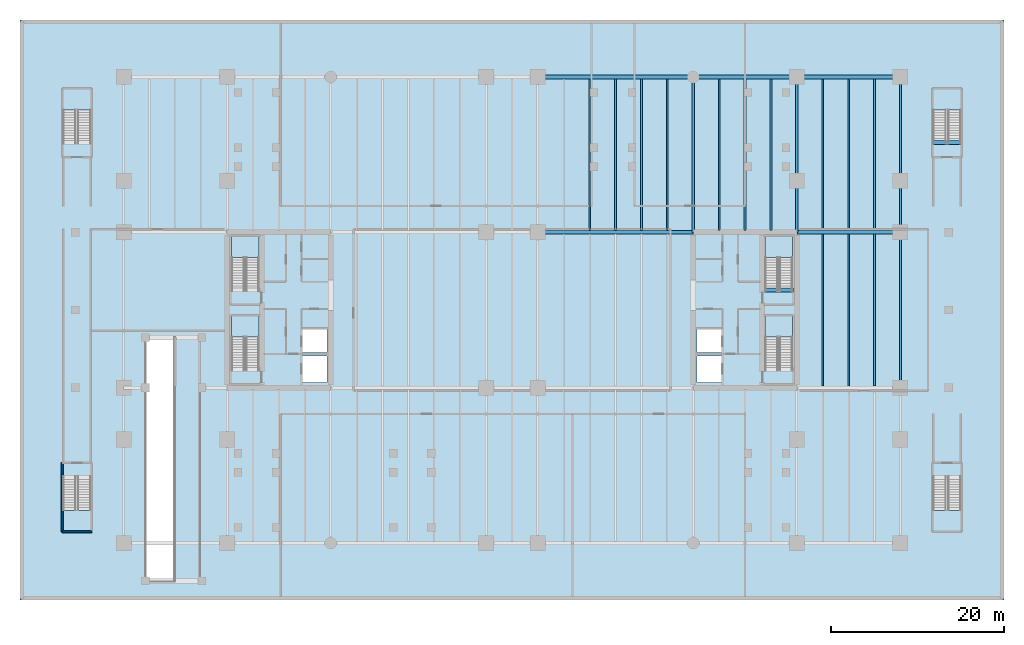
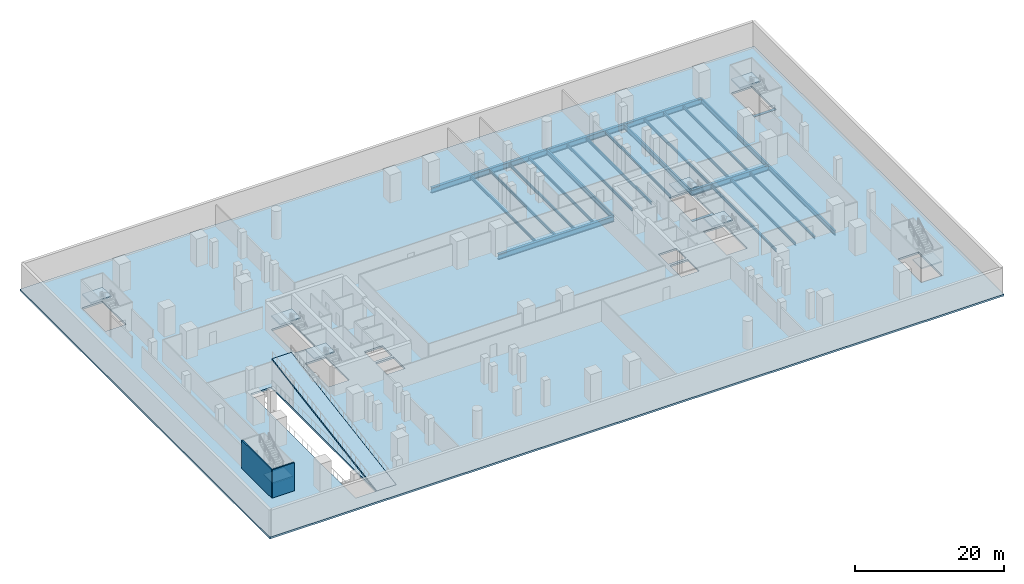
# One storey, part 2 of 13: 24 beams, 10 slabs, 2 walls, 8 elements without a shape of their own.
"""IFC4 building model written with IfcOpenShell, lengths in metres."""

from ifc_helpers import new_model, si_unit, direction, frame, frame_2d, origin, origin_2d, place, context, subcontext, project, spatial, polyline, rectangle, i_section, outline, extrude, material, layer, layer_set, material_profile, profile_set, type_object, element, aggregate, save


model = new_model("IFC4")

# Units and contexts
model_context = context("Model", 3, precision=1e-05, world=origin(), true_north=direction((0.0, 1.0)))
body_context = subcontext(model_context, "Body", "Model", "MODEL_VIEW")
ifc_project = project(units=[si_unit("LENGTHUNIT", "METRE"), si_unit("AREAUNIT", "SQUARE_METRE"), si_unit("VOLUMEUNIT", "CUBIC_METRE"), si_unit("PLANEANGLEUNIT", "RADIAN"), si_unit("MASSUNIT", "GRAM", prefix="KILO")], contexts=[model_context])

# Site, building, storey
site_placement = place(None, origin())
site = spatial("IfcSite", under=ifc_project, at=site_placement, CompositionType="ELEMENT")
building_placement = place(site_placement, origin())
building = spatial("IfcBuilding", under=site, at=building_placement, Name="Tanjung Sevakor Pilgrim Tower", CompositionType="ELEMENT")
storey_placement = place(building_placement, frame((0.0, 0.0, -4.6201171875)))
storey = spatial("IfcBuildingStorey", under=building, at=storey_placement, Name="B01", CompositionType="ELEMENT", Elevation=-4.6201171875)

# Beams
ifc_material_1 = material(Name="Steel S355J2", Category="steel")
ifc_material_profile_1 = material_profile(ifc_material_1, i_section(OverallWidth=0.26806640625, OverallDepth=0.769775390625, WebThickness=0.015625, FlangeThickness=0.025390625, FilletRadius=0.0166015625, at=origin_2d()))
ifc_profile_set_1 = profile_set([ifc_material_profile_1], Name="Steel S355J2")
beam_type_1 = type_object("IfcBeamType", Name="BM-B-G1-UB_762x267x197", PredefinedType="BEAM", material=ifc_profile_set_1)
for number, where, z_axis, x_axis, name in (
    (1, (78.0, 42.60009765625, -0.684814453125), (0.0, 1.0, 0.0), (-1.0, 0.0, 0.0), "B01 Podium Girder NS X78-3"),
    (2, (90.0, 42.60009765625, -0.684814453125), (0.0, 1.0, 0.0), (-1.0, 0.0, 0.0), "B01 Podium Girder NS X90-3"),
    (3, (102.0, 24.60009765625, -0.684814453125), (0.0, 1.0, 0.0), (-1.0, 0.0, 0.0), "B01 Podium Girder NS X102-3"),
    (4, (102.0, 42.60009765625, -0.684814453125), (0.0, 1.0, 0.0), (-1.0, 0.0, 0.0), "B01 Podium Girder NS X102-4"),
):
    element("IfcBeam", number, at=place(storey_placement, frame(where, z_axis=z_axis, x_axis=x_axis)), inside=storey, type_object=beam_type_1, Name=name, PredefinedType="BEAM", context=body_context, shape_type="SweptSolid", body=[
        extrude(i_section(OverallWidth=0.26806640625, OverallDepth=0.769775390625, WebThickness=0.015625, FlangeThickness=0.025390625, FilletRadius=0.0166015625, at=origin_2d()), origin(), (0.0, 0.0, 1.0), 18.0),
    ])
ifc_material_2 = material(Name="Steel S355J2", Category="steel")
ifc_material_profile_2 = material_profile(ifc_material_2, i_section(OverallWidth=0.19287109375, OverallDepth=0.46728515625, WebThickness=0.011474609375, FlangeThickness=0.01953125, FilletRadius=0.01025390625, at=origin_2d()))
ifc_profile_set_2 = profile_set([ifc_material_profile_2], Name="Steel S355J2")
beam_type_2 = type_object("IfcBeamType", Name="BM-B-J1-UB_457x191x98", PredefinedType="JOIST", material=ifc_profile_set_2)
for number, where, z_axis, x_axis, name in (
    (5, (66.0, 42.810302734375, -0.533447265625), (0.0, 1.0, 0.0), (-1.0, 0.0, 0.0), "B01 Secondary Joist 033"),
    (6, (69.0, 42.810302734375, -0.533447265625), (0.0, 1.0, 0.0), (-1.0, 0.0, 0.0), "B01 Secondary Joist 036"),
    (7, (72.0, 42.810302734375, -0.533447265625), (0.0, 1.0, 0.0), (-1.0, 0.0, 0.0), "B01 Secondary Joist 039"),
    (8, (75.0, 42.810302734375, -0.533447265625), (0.0, 1.0, 0.0), (-1.0, 0.0, 0.0), "B01 Secondary Joist 042"),
    (9, (81.0, 42.810302734375, -0.533447265625), (0.0, 1.0, 0.0), (-1.0, 0.0, 0.0), "B01 Secondary Joist 044"),
    (10, (84.0, 42.810302734375, -0.533447265625), (0.0, 1.0, 0.0), (-1.0, 0.0, 0.0), "B01 Secondary Joist 046"),
    (11, (87.0, 42.810302734375, -0.533447265625), (0.0, 1.0, 0.0), (-1.0, 0.0, 0.0), "B01 Secondary Joist 048"),
    (12, (93.0, 24.810302734375, -0.533447265625), (0.0, 1.0, 0.0), (-1.0, 0.0, 0.0), "B01 Secondary Joist 050"),
    (13, (93.0, 42.810302734375, -0.533447265625), (0.0, 1.0, 0.0), (-1.0, 0.0, 0.0), "B01 Secondary Joist 051"),
    (14, (96.0, 24.810302734375, -0.533447265625), (0.0, 1.0, 0.0), (-1.0, 0.0, 0.0), "B01 Secondary Joist 053"),
    (15, (96.0, 42.810302734375, -0.533447265625), (0.0, 1.0, 0.0), (-1.0, 0.0, 0.0), "B01 Secondary Joist 054"),
    (16, (99.0, 24.810302734375, -0.533447265625), (0.0, 1.0, 0.0), (-1.0, 0.0, 0.0), "B01 Secondary Joist 056"),
    (17, (99.0, 42.810302734375, -0.533447265625), (0.0, 1.0, 0.0), (-1.0, 0.0, 0.0), "B01 Secondary Joist 057"),
):
    element("IfcBeam", number, at=place(storey_placement, frame(where, z_axis=z_axis, x_axis=x_axis)), inside=storey, type_object=beam_type_2, Name=name, PredefinedType="JOIST", context=body_context, shape_type="SweptSolid", body=[
        extrude(i_section(OverallWidth=0.19287109375, OverallDepth=0.46728515625, WebThickness=0.011474609375, FlangeThickness=0.01953125, FilletRadius=0.01025390625, at=origin_2d()), origin(), (0.0, 0.0, 1.0), 17.57958984375),
    ])
ifc_material_3 = material(Name="Concrete C60/75", Category="concrete")
ifc_material_profile_3 = material_profile(ifc_material_3, rectangle(XDim=0.449951171875, YDim=0.699951171875, at=origin_2d()))
ifc_profile_set_3 = profile_set([ifc_material_profile_3], Name="Concrete C60/75")
beam_type_3 = type_object("IfcBeamType", Name="BM-B-LN3-RC-BM_450x700", PredefinedType="LINTEL", material=ifc_profile_set_3)
for number, where, z_axis, x_axis, name in (
    (18, (86.199951171875, 35.89990234375, -0.349853515625), (1.0, 0.0, 0.0), (0.0, 1.0, 0.0), "B01 TS-E2 Stair Threshold Beam"),
    (19, (105.699951171875, 53.0, -0.349853515625), (1.0, 0.0, 0.0), (0.0, 1.0, 0.0), "B01 BS-4 Stair Threshold Beam"),
):
    element("IfcBeam", number, at=place(storey_placement, frame(where, z_axis=z_axis, x_axis=x_axis)), inside=storey, type_object=beam_type_3, Name=name, PredefinedType="LINTEL", context=body_context, shape_type="SweptSolid", body=[
        extrude(rectangle(XDim=0.449951171875, YDim=0.699951171875, at=origin_2d()), origin(), (0.0, 0.0, 1.0), 3.400146484375),
    ])
ifc_material_4 = material(Name="Steel S355J2", Category="steel")
ifc_material_profile_4 = material_profile(ifc_material_4, i_section(OverallWidth=0.42041015625, OverallDepth=0.9208984375, WebThickness=0.021484375, FlangeThickness=0.03662109375, FilletRadius=0.024169921875, at=origin_2d()))
ifc_profile_set_4 = profile_set([ifc_material_profile_4], Name="Steel S355J2")
beam_type_4 = type_object("IfcBeamType", Name="BM-B-POD1-UB_914x419x388", PredefinedType="BEAM", material=ifc_profile_set_4)
beam_1_placement = place(storey_placement, frame((60.0, 42.60009765625, -0.760498046875), z_axis=(1.0, 0.0, 0.0), x_axis=(0.0, 1.0, 0.0)))
element("IfcBeam", 20, at=beam_1_placement, inside=storey, type_object=beam_type_4, Name="B01 Podium Girder EW Y42.6-5", PredefinedType="BEAM", context=body_context, shape_type="SweptSolid", body=[
    extrude(i_section(OverallWidth=0.42041015625, OverallDepth=0.9208984375, WebThickness=0.021484375, FlangeThickness=0.03662109375, FilletRadius=0.024169921875, at=origin_2d()), origin(), (0.0, 0.0, 1.0), 18.0),
])
beam_2_placement = place(storey_placement, frame((90.0, 42.60009765625, -0.760498046875), z_axis=(1.0, 0.0, 0.0), x_axis=(0.0, 1.0, 0.0)))
element("IfcBeam", 21, at=beam_2_placement, inside=storey, type_object=beam_type_4, Name="B01 Podium Girder EW Y42.6-6", PredefinedType="BEAM", context=body_context, shape_type="SweptSolid", body=[
    extrude(i_section(OverallWidth=0.42041015625, OverallDepth=0.9208984375, WebThickness=0.021484375, FlangeThickness=0.03662109375, FilletRadius=0.024169921875, at=origin_2d()), origin(), (0.0, 0.0, 1.0), 12.0),
])
beam_3_placement = place(storey_placement, frame((60.0, 60.60009765625, -0.760498046875), z_axis=(1.0, 0.0, 0.0), x_axis=(0.0, 1.0, 0.0)))
element("IfcBeam", 22, at=beam_3_placement, inside=storey, type_object=beam_type_4, Name="B01 Podium Girder EW Y60.6-6", PredefinedType="BEAM", context=body_context, shape_type="SweptSolid", body=[
    extrude(i_section(OverallWidth=0.42041015625, OverallDepth=0.9208984375, WebThickness=0.021484375, FlangeThickness=0.03662109375, FilletRadius=0.024169921875, at=origin_2d()), origin(), (0.0, 0.0, 1.0), 18.0),
])
for number, where, z_axis, x_axis, name in (
    (23, (78.0, 60.60009765625, -0.760498046875), (1.0, 0.0, 0.0), (0.0, 1.0, 0.0), "B01 Podium Girder EW Y60.6-7"),
    (24, (90.0, 60.60009765625, -0.760498046875), (1.0, 0.0, 0.0), (0.0, 1.0, 0.0), "B01 Podium Girder EW Y60.6-8"),
):
    element("IfcBeam", number, at=place(storey_placement, frame(where, z_axis=z_axis, x_axis=x_axis)), inside=storey, type_object=beam_type_4, Name=name, PredefinedType="BEAM", context=body_context, shape_type="SweptSolid", body=[
        extrude(i_section(OverallWidth=0.42041015625, OverallDepth=0.9208984375, WebThickness=0.021484375, FlangeThickness=0.03662109375, FilletRadius=0.024169921875, at=origin_2d()), origin(), (0.0, 0.0, 1.0), 12.0),
    ])

# Slab
ifc_material_5 = material(Name="Concrete C40/50", Category="concrete")
ifc_layer_1 = layer(ifc_material_5, 0.300048828125)
ifc_layer_set_1 = layer_set([ifc_layer_1], Name="SL-B01-300")
slab_type_1 = type_object("IfcSlabType", Name="SL-B01-300", PredefinedType="FLOOR", material=ifc_layer_set_1)
slab_1_placement = place(storey_placement, frame((0.0, 0.0, -0.2998046875)))
element("IfcSlab", 25, at=slab_1_placement, inside=storey, type_object=slab_type_1, Name="B01 Floor Slab MAIN", PredefinedType="FLOOR", context=body_context, shape_type="SweptSolid", body=[
    extrude(outline(polyline([(0.0, 0.0), (114.0, 0.0), (114.0, 67.199951171875), (0.0, 67.199951171875), (0.0, 0.0)]), holes=[polyline([(27.699951171875, 26.60009765625), (27.699951171875, 32.89990234375), (24.5, 32.89990234375), (24.5, 26.60009765625), (27.699951171875, 26.60009765625)]), polyline([(27.699951171875, 35.800048828125), (27.699951171875, 42.10009765625), (24.5, 42.10009765625), (24.5, 35.800048828125), (27.699951171875, 35.800048828125)]), polyline([(89.5, 26.60009765625), (89.5, 32.89990234375), (86.300048828125, 32.89990234375), (86.300048828125, 26.60009765625), (89.5, 26.60009765625)]), polyline([(89.5, 35.800048828125), (89.5, 42.10009765625), (86.300048828125, 42.10009765625), (86.300048828125, 35.800048828125), (89.5, 35.800048828125)]), polyline([(5.0, 14.300048828125), (5.0, 8.0), (8.199951171875, 8.0), (8.199951171875, 14.300048828125), (5.0, 14.300048828125)]), polyline([(8.199951171875, 52.89990234375), (8.199951171875, 59.199951171875), (5.0, 59.199951171875), (5.0, 52.89990234375), (8.199951171875, 52.89990234375)]), polyline([(105.800048828125, 14.300048828125), (105.800048828125, 8.0), (109.0, 8.0), (109.0, 14.300048828125), (105.800048828125, 14.300048828125)]), polyline([(109.0, 52.89990234375), (109.0, 59.199951171875), (105.800048828125, 59.199951171875), (105.800048828125, 52.89990234375), (109.0, 52.89990234375)]), polyline([(32.75, 25.199951171875), (35.550048828125, 25.199951171875), (35.550048828125, 28.300048828125), (32.75, 28.300048828125), (32.75, 25.199951171875)]), polyline([(32.75, 28.699951171875), (35.550048828125, 28.699951171875), (35.550048828125, 31.35009765625), (32.75, 31.35009765625), (32.75, 28.699951171875)]), polyline([(78.449951171875, 25.199951171875), (81.25, 25.199951171875), (81.25, 28.300048828125), (78.449951171875, 28.300048828125), (78.449951171875, 25.199951171875)]), polyline([(78.449951171875, 28.699951171875), (81.25, 28.699951171875), (81.25, 31.35009765625), (78.449951171875, 31.35009765625), (78.449951171875, 28.699951171875)]), polyline([(14.60009765625, 2.199951171875), (17.800048828125, 2.199951171875), (17.800048828125, 30.39990234375), (14.60009765625, 30.39990234375), (14.60009765625, 2.199951171875)])]), origin(), (0.0, 0.0, 1.0), 0.2998046875),
])

# Stair, slab
ifc_material_6 = material(Name="Concrete C40/50", Category="concrete")
stair_type_1 = type_object("IfcStairType", Name="STAIR-ST-CR150", PredefinedType="HALF_TURN_STAIR", material=ifc_material_6)
stair_1_placement = place(storey_placement, origin())
stair_1 = element("IfcStair", 26, at=stair_1_placement, inside=storey, type_object=stair_type_1, Name="B01 West Core Exit Stair 1", PredefinedType="HALF_TURN_STAIR")
ifc_material_7 = material(Name="Concrete C40/50", Category="concrete")
ifc_layer_2 = layer(ifc_material_7, 0.199951171875)
ifc_layer_set_2 = layer_set([ifc_layer_2], Name="SL-LAND-200")
slab_type_2 = type_object("IfcSlabType", Name="SL-LAND-200", PredefinedType="LANDING", material=ifc_layer_set_2)
slab_2_placement = place(storey_placement, frame((0.0, 0.0, 2.110107421875)))
slab_2 = element("IfcSlab", 27, at=slab_2_placement, type_object=slab_type_2, Name="TS-W1 landing 1", PredefinedType="LANDING", context=body_context, shape_type="SweptSolid", body=[
    extrude(outline(polyline([(27.699951171875, 30.5), (27.699951171875, 32.89990234375), (24.5, 32.89990234375), (24.5, 30.5), (27.699951171875, 30.5)])), origin(), (0.0, 0.0, 1.0), 0.199951171875),
])
aggregate(stair_1, [slab_2])

stair_2_placement = place(storey_placement, origin())
stair_2 = element("IfcStair", 28, at=stair_2_placement, inside=storey, type_object=stair_type_1, Name="B01 West Core Exit Stair 2", PredefinedType="HALF_TURN_STAIR")
slab_3_placement = place(storey_placement, frame((0.0, 0.0, 2.110107421875)))
slab_3 = element("IfcSlab", 29, at=slab_3_placement, type_object=slab_type_2, Name="TS-W2 landing 1", PredefinedType="LANDING", context=body_context, shape_type="SweptSolid", body=[
    extrude(outline(polyline([(27.699951171875, 39.699951171875), (27.699951171875, 42.10009765625), (24.5, 42.10009765625), (24.5, 39.699951171875), (27.699951171875, 39.699951171875)])), origin(), (0.0, 0.0, 1.0), 0.199951171875),
])
aggregate(stair_2, [slab_3])

stair_3_placement = place(storey_placement, origin())
stair_3 = element("IfcStair", 30, at=stair_3_placement, inside=storey, type_object=stair_type_1, Name="B01 East Core Exit Stair 1", PredefinedType="HALF_TURN_STAIR")
slab_4_placement = place(storey_placement, frame((0.0, 0.0, 2.110107421875)))
slab_4 = element("IfcSlab", 31, at=slab_4_placement, type_object=slab_type_2, Name="TS-E1 landing 1", PredefinedType="LANDING", context=body_context, shape_type="SweptSolid", body=[
    extrude(outline(polyline([(89.5, 30.5), (89.5, 32.89990234375), (86.300048828125, 32.89990234375), (86.300048828125, 30.5), (89.5, 30.5)])), origin(), (0.0, 0.0, 1.0), 0.199951171875),
])
aggregate(stair_3, [slab_4])

stair_4_placement = place(storey_placement, origin())
stair_4 = element("IfcStair", 32, at=stair_4_placement, inside=storey, type_object=stair_type_1, Name="B01 East Core Exit Stair 2", PredefinedType="HALF_TURN_STAIR")
slab_5_placement = place(storey_placement, frame((0.0, 0.0, 2.110107421875)))
slab_5 = element("IfcSlab", 33, at=slab_5_placement, type_object=slab_type_2, Name="TS-E2 landing 1", PredefinedType="LANDING", context=body_context, shape_type="SweptSolid", body=[
    extrude(outline(polyline([(89.5, 39.699951171875), (89.5, 42.10009765625), (86.300048828125, 42.10009765625), (86.300048828125, 39.699951171875), (89.5, 39.699951171875)])), origin(), (0.0, 0.0, 1.0), 0.199951171875),
])
aggregate(stair_4, [slab_5])

ifc_material_8 = material(Name="Concrete C40/50", Category="concrete")
stair_type_2 = type_object("IfcStairType", Name="STAIR-ST-BS150", PredefinedType="HALF_TURN_STAIR", material=ifc_material_8)
stair_5_placement = place(storey_placement, origin())
stair_5 = element("IfcStair", 34, at=stair_5_placement, inside=storey, type_object=stair_type_2, Name="B01 Basement South-West Exit Stair", PredefinedType="HALF_TURN_STAIR")
slab_6_placement = place(storey_placement, frame((0.0, 0.0, 2.110107421875)))
slab_6 = element("IfcSlab", 35, at=slab_6_placement, type_object=slab_type_2, Name="BS-1 landing 1", PredefinedType="LANDING", context=body_context, shape_type="SweptSolid", body=[
    extrude(outline(polyline([(5.0, 10.39990234375), (5.0, 8.0), (8.199951171875, 8.0), (8.199951171875, 10.39990234375), (5.0, 10.39990234375)])), origin(), (0.0, 0.0, 1.0), 0.199951171875),
])
aggregate(stair_5, [slab_6])

stair_6_placement = place(storey_placement, origin())
stair_6 = element("IfcStair", 36, at=stair_6_placement, inside=storey, type_object=stair_type_2, Name="B01 Basement North-West Exit Stair", PredefinedType="HALF_TURN_STAIR")
slab_7_placement = place(storey_placement, frame((0.0, 0.0, 2.110107421875)))
slab_7 = element("IfcSlab", 37, at=slab_7_placement, type_object=slab_type_2, Name="BS-2 landing 1", PredefinedType="LANDING", context=body_context, shape_type="SweptSolid", body=[
    extrude(outline(polyline([(8.199951171875, 56.800048828125), (8.199951171875, 59.199951171875), (5.0, 59.199951171875), (5.0, 56.800048828125), (8.199951171875, 56.800048828125)])), origin(), (0.0, 0.0, 1.0), 0.199951171875),
])
aggregate(stair_6, [slab_7])

stair_7_placement = place(storey_placement, origin())
stair_7 = element("IfcStair", 38, at=stair_7_placement, inside=storey, type_object=stair_type_2, Name="B01 Basement South-East Exit Stair", PredefinedType="HALF_TURN_STAIR")
slab_8_placement = place(storey_placement, frame((0.0, 0.0, 2.110107421875)))
slab_8 = element("IfcSlab", 39, at=slab_8_placement, type_object=slab_type_2, Name="BS-3 landing 1", PredefinedType="LANDING", context=body_context, shape_type="SweptSolid", body=[
    extrude(outline(polyline([(105.800048828125, 10.39990234375), (105.800048828125, 8.0), (109.0, 8.0), (109.0, 10.39990234375), (105.800048828125, 10.39990234375)])), origin(), (0.0, 0.0, 1.0), 0.199951171875),
])
aggregate(stair_7, [slab_8])

stair_8_placement = place(storey_placement, origin())
stair_8 = element("IfcStair", 40, at=stair_8_placement, inside=storey, type_object=stair_type_2, Name="B01 Basement North-East Exit Stair", PredefinedType="HALF_TURN_STAIR")
slab_9_placement = place(storey_placement, frame((0.0, 0.0, 2.110107421875)))
slab_9 = element("IfcSlab", 41, at=slab_9_placement, type_object=slab_type_2, Name="BS-4 landing 1", PredefinedType="LANDING", context=body_context, shape_type="SweptSolid", body=[
    extrude(outline(polyline([(109.0, 56.800048828125), (109.0, 59.199951171875), (105.800048828125, 59.199951171875), (105.800048828125, 56.800048828125), (109.0, 56.800048828125)])), origin(), (0.0, 0.0, 1.0), 0.199951171875),
])
aggregate(stair_8, [slab_9])

# Slab
ifc_material_9 = material(Name="Concrete C40/50", Category="concrete")
ifc_material_10 = material(Name="Concrete C40/50", Category="concrete")
ifc_layer_3 = layer(ifc_material_10, 0.25)
ifc_layer_set_3 = layer_set([ifc_layer_3], Name="Concrete C40/50")
slab_type_3 = type_object("IfcSlabType", Name="SL-VRP-250", PredefinedType="FLOOR", material=ifc_layer_set_3)
slab_10_placement = place(storey_placement, frame((17.89990234375, 2.199951171875, 0.0), z_axis=(0.0, -0.161678732689, 0.986843446245), x_axis=(1.0, 0.0, 0.0)))
element("IfcSlab", 42, at=slab_10_placement, inside=storey, type_object=slab_type_3, material=ifc_material_9, Name="B01 Vehicle Access Ramp 2", PredefinedType="FLOOR", context=body_context, shape_type="SweptSolid", body=[
    extrude(outline(polyline([(0.0, 0.0), (3.0, 0.0), (3.0, 28.575911690134525), (0.0, 28.575911690134525), (0.0, 0.0)])), origin(), (0.0, 0.0, -1.0), 0.25),
])

# Walls
ifc_material_11 = material(Name="Concrete C40/50", Category="concrete")
ifc_layer_4 = layer(ifc_material_11, 0.199951171875)
ifc_layer_set_4 = layer_set([ifc_layer_4], Name="WT-FIRE-200")
wall_type = type_object("IfcWallType", Name="WT-FIRE-200", PredefinedType="SOLIDWALL", material=ifc_layer_set_4)
wall_1_placement = place(storey_placement, frame((4.89990234375, 7.89990234375, 0.0), z_axis=(0.0, 0.0, 1.0), x_axis=(1.0, 0.0, 0.0)))
element("IfcWall", 43, at=wall_1_placement, inside=storey, type_object=wall_type, Name="B01 BS-1 Shaft Wall 1", PredefinedType="SOLIDWALL", context=body_context, shape_type="SweptSolid", body=[
    extrude(rectangle(XDim=3.400146484375, YDim=0.199951171875, at=frame_2d((1.7001953125, 0.0))), origin(), (0.0, 0.0, 1.0), 4.6201171875),
])
wall_2_placement = place(storey_placement, frame((4.89990234375, 15.89990234375, 0.0), z_axis=(0.0, 0.0, 1.0), x_axis=(0.0, -1.0, 0.0)))
element("IfcWall", 44, at=wall_2_placement, inside=storey, type_object=wall_type, Name="B01 BS-1 Shaft Wall 4", PredefinedType="SOLIDWALL", context=body_context, shape_type="SweptSolid", body=[
    extrude(rectangle(XDim=8.0, YDim=0.199951171875, at=frame_2d((4.0, 0.0))), origin(), (0.0, 0.0, 1.0), 4.6201171875),
])

save(model, "model.ifc")
